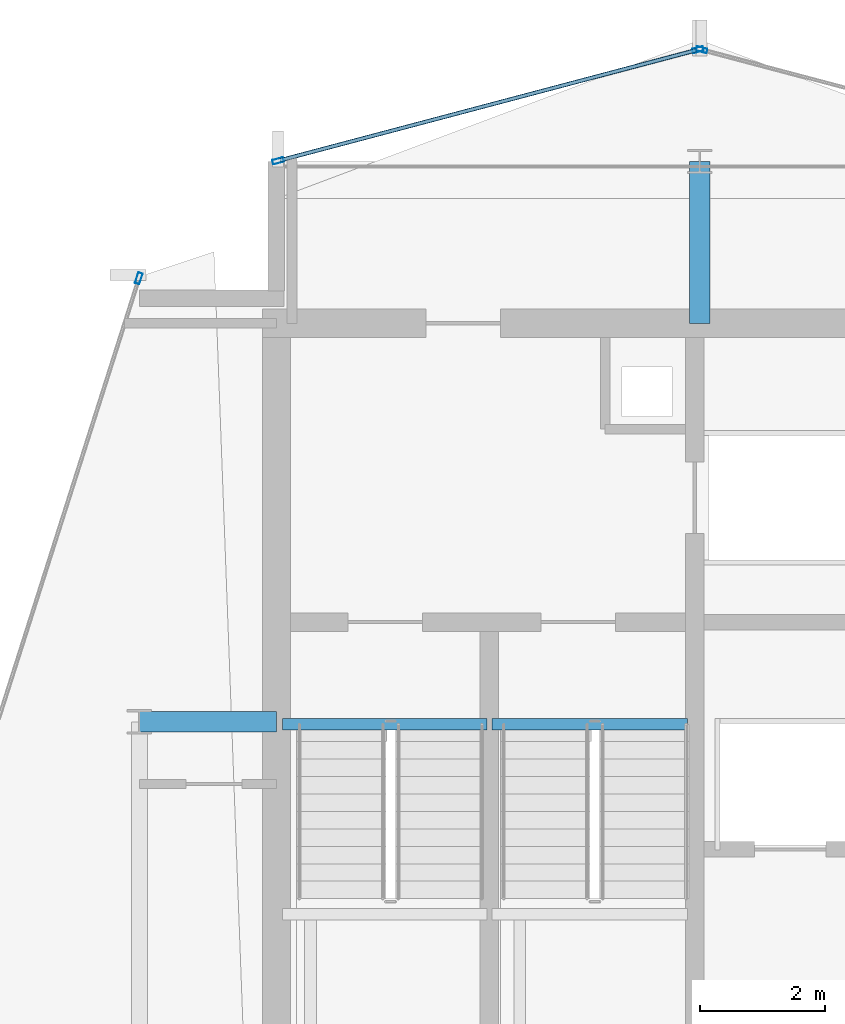
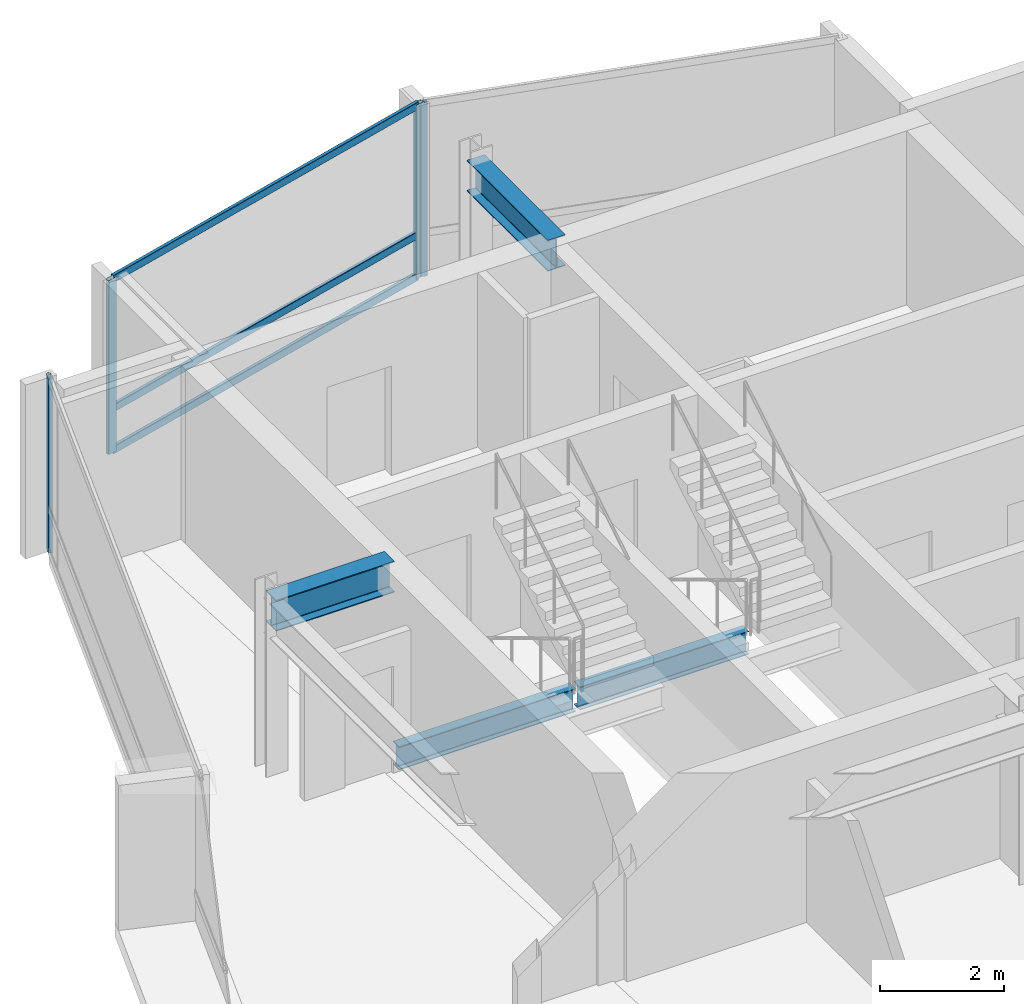
# One storey, part 11 of 19: 7 members, 4 beams, 3 elements without a shape of their own.
"""IFC4 building model written with IfcOpenShell, lengths in metres."""

from ifc_helpers import new_model, si_unit, direction, frame, origin, origin_2d, place, context, subcontext, project, spatial, hollow_rectangle, i_section, extrude, material, layer, layer_set, material_profile, profile_set, type_object, element, aggregate, save


model = new_model("IFC4")

# Units and contexts
model_context = context("Model", 3, precision=1e-05, world=origin(), true_north=direction((0.0, 1.0)))
body_context = subcontext(model_context, "Body", "Model", "MODEL_VIEW")
ifc_project = project(units=[si_unit("LENGTHUNIT", "METRE"), si_unit("AREAUNIT", "SQUARE_METRE"), si_unit("VOLUMEUNIT", "CUBIC_METRE"), si_unit("PLANEANGLEUNIT", "RADIAN"), si_unit("MASSUNIT", "GRAM", prefix="KILO")], contexts=[model_context])

# Site, building, storey
site_placement = place(None, origin())
site = spatial("IfcSite", under=ifc_project, at=site_placement, CompositionType="ELEMENT")
building_placement = place(site_placement, origin())
building = spatial("IfcBuilding", under=site, at=building_placement, Name="Solvaryn Broadcast Tower", CompositionType="ELEMENT")
storey_placement = place(building_placement, frame((0.0, 0.0, 255.60009765625)))
storey = spatial("IfcBuildingStorey", under=building, at=storey_placement, Name="L64", CompositionType="ELEMENT", Elevation=255.60009765625)

# Beams
ifc_material_1 = material(Name="Steel ASTM A992 Grade 50", Category="steel")
ifc_material_profile_1 = material_profile(ifc_material_1, i_section(OverallWidth=0.323974609375, OverallDepth=0.611083984375, WebThickness=0.0126953125, FlangeThickness=0.01904296875, FilletRadius=0.014892578125, at=origin_2d()))
ifc_profile_set_1 = profile_set([ifc_material_profile_1], Name="Steel ASTM A992 Grade 50")
beam_type_1 = type_object("IfcBeamType", Name="BM-B1-W24X104", PredefinedType="BEAM", material=ifc_profile_set_1)
beam_1_placement = place(storey_placement, frame((9.0, 36.0, 3.114501953125), z_axis=(1.0, 0.0, 0.0), x_axis=(0.0, 1.0, 0.0)))
element("IfcBeam", 1, at=beam_1_placement, inside=storey, type_object=beam_type_1, Name="L64 Core Tie Beam CTW1", PredefinedType="BEAM", context=body_context, shape_type="SweptSolid", body=[
    extrude(i_section(OverallWidth=0.323974609375, OverallDepth=0.611083984375, WebThickness=0.0126953125, FlangeThickness=0.01904296875, FilletRadius=0.014892578125, at=origin_2d()), origin(), (0.0, 0.0, 1.0), 2.199951171875),
])
beam_2_placement = place(storey_placement, frame((18.0, 42.39990234375, 3.114501953125), z_axis=(0.0, 1.0, 0.0), x_axis=(-1.0, 0.0, 0.0)))
element("IfcBeam", 2, at=beam_2_placement, inside=storey, type_object=beam_type_1, Name="L64 Core Tie Beam CTW3", PredefinedType="BEAM", context=body_context, shape_type="SweptSolid", body=[
    extrude(i_section(OverallWidth=0.323974609375, OverallDepth=0.611083984375, WebThickness=0.0126953125, FlangeThickness=0.01904296875, FilletRadius=0.014892578125, at=origin_2d()), origin(), (0.0, 0.0, 1.0), 2.60009765625),
])
ifc_material_2 = material(Name="Steel ASTM A992 Grade 50", Category="steel")
ifc_material_profile_2 = material_profile(ifc_material_2, i_section(OverallWidth=0.18994140625, OverallDepth=0.45703125, WebThickness=0.009033203125, FlangeThickness=0.014404296875, FilletRadius=0.011962890625, at=origin_2d()))
ifc_profile_set_2 = profile_set([ifc_material_profile_2], Name="Steel ASTM A992 Grade 50")
beam_type_2 = type_object("IfcBeamType", Name="BM-B4-W18X50", PredefinedType="BEAM", material=ifc_profile_set_2)
beam_3_placement = place(storey_placement, frame((11.300048828125, 35.9599609375, -0.508544921875), z_axis=(1.0, 0.0, 0.0), x_axis=(0.0, 1.0, 0.0)))
element("IfcBeam", 3, at=beam_3_placement, inside=storey, type_object=beam_type_2, Name="L64 ST1 Stair Well Trimmer Beam", PredefinedType="BEAM", context=body_context, shape_type="SweptSolid", body=[
    extrude(i_section(OverallWidth=0.18994140625, OverallDepth=0.45703125, WebThickness=0.009033203125, FlangeThickness=0.014404296875, FilletRadius=0.011962890625, at=origin_2d()), origin(), (0.0, 0.0, 1.0), 3.280029296875),
])
beam_4_placement = place(storey_placement, frame((14.659912109375, 35.9599609375, -0.508544921875), z_axis=(1.0, 0.0, 0.0), x_axis=(0.0, 1.0, 0.0)))
element("IfcBeam", 4, at=beam_4_placement, inside=storey, type_object=beam_type_2, Name="L64 ST2 Stair Well Trimmer Beam", PredefinedType="BEAM", context=body_context, shape_type="SweptSolid", body=[
    extrude(i_section(OverallWidth=0.18994140625, OverallDepth=0.45703125, WebThickness=0.009033203125, FlangeThickness=0.014404296875, FilletRadius=0.011962890625, at=origin_2d()), origin(), (0.0, 0.0, 1.0), 3.14013671875),
])

# Curtain wall, member
ifc_material_3 = material(Name="Aluminium and Terracotta Unitised Curtain Wall", Category="masonry")
ifc_layer = layer(ifc_material_3, 0.199951171875)
ifc_layer_set = layer_set([ifc_layer], Name="CW-SYS2-LOWMID")
curtain_wall_type = type_object("IfcCurtainWallType", Name="CW-SYS2-LOWMID", PredefinedType="NOTDEFINED", material=ifc_layer_set)
curtain_wall_1_placement = place(storey_placement, origin())
curtain_wall_1 = element("IfcCurtainWall", 5, at=curtain_wall_1_placement, inside=storey, type_object=curtain_wall_type, Name="L64 Curtain Wall DR1", PredefinedType="NOTDEFINED")
ifc_material_4 = material(Name="Anodised Aluminium 6063-T6", Category="aluminium")
ifc_material_profile_3 = material_profile(ifc_material_4, hollow_rectangle(XDim=0.074951171875, YDim=0.179931640625, WallThickness=0.00390625, InnerFilletRadius=0.00390625, OuterFilletRadius=0.008056640625, at=origin_2d()))
ifc_profile_set_3 = profile_set([ifc_material_profile_3], Name="Anodised Aluminium 6063-T6")
member_type_1 = type_object("IfcMemberType", Name="CW-MUL-180", PredefinedType="MULLION", material=ifc_profile_set_3)
member_1_placement = place(storey_placement, frame((8.990966796875, 43.120361328125, 0.0), z_axis=(0.0, 0.0, 1.0), x_axis=(0.952794594701, -0.30361564569, 0.0)))
member_1 = element("IfcMember", 6, at=member_1_placement, type_object=member_type_1, Name="CWS2 mullion 1", PredefinedType="MULLION", context=body_context, shape_type="SweptSolid", body=[
    extrude(hollow_rectangle(XDim=0.074951171875, YDim=0.179931640625, WallThickness=0.00390625, InnerFilletRadius=0.00390625, OuterFilletRadius=0.008056640625, at=origin_2d()), origin(), (0.0, 0.0, 1.0), 3.419921875),
])
aggregate(curtain_wall_1, [member_1])

curtain_wall_2_placement = place(storey_placement, origin())
curtain_wall_2 = element("IfcCurtainWall", 7, at=curtain_wall_2_placement, inside=storey, type_object=curtain_wall_type, Name="L64 Curtain Wall NT1", PredefinedType="NOTDEFINED")
member_2_placement = place(storey_placement, frame((18.029052734375, 46.792236328125, 0.0), z_axis=(0.0, 0.0, 1.0), x_axis=(-0.25589256031, -0.966705227863, 0.0)))
member_2 = element("IfcMember", 8, at=member_2_placement, type_object=member_type_1, Name="CWS2 mullion 2", PredefinedType="MULLION", context=body_context, shape_type="SweptSolid", body=[
    extrude(hollow_rectangle(XDim=0.074951171875, YDim=0.179931640625, WallThickness=0.00390625, InnerFilletRadius=0.00390625, OuterFilletRadius=0.008056640625, at=origin_2d()), origin(), (0.0, 0.0, 1.0), 3.419921875),
])
aggregate(curtain_wall_2, [member_2])

# Curtain wall, members
curtain_wall_3_placement = place(storey_placement, origin())
curtain_wall_3 = element("IfcCurtainWall", 9, at=curtain_wall_3_placement, inside=storey, type_object=curtain_wall_type, Name="L64 Curtain Wall NT2", PredefinedType="NOTDEFINED")
member_3_placement = place(storey_placement, frame((17.970947265625, 46.792236328125, 0.0), z_axis=(0.0, 0.0, 1.0), x_axis=(0.25589256031, -0.966705227863, 0.0)))
member_3 = element("IfcMember", 10, at=member_3_placement, type_object=member_type_1, Name="CWS2 mullion 1", PredefinedType="MULLION", context=body_context, shape_type="SweptSolid", body=[
    extrude(hollow_rectangle(XDim=0.074951171875, YDim=0.179931640625, WallThickness=0.00390625, InnerFilletRadius=0.00390625, OuterFilletRadius=0.008056640625, at=origin_2d()), origin(), (0.0, 0.0, 1.0), 3.419921875),
])
member_4_placement = place(storey_placement, frame((11.22900390625, 45.007568359375, 0.0), z_axis=(0.0, 0.0, 1.0), x_axis=(0.25589256031, -0.966705227863, 0.0)))
member_4 = element("IfcMember", 11, at=member_4_placement, type_object=member_type_1, Name="CWS2 mullion 2", PredefinedType="MULLION", context=body_context, shape_type="SweptSolid", body=[
    extrude(hollow_rectangle(XDim=0.074951171875, YDim=0.179931640625, WallThickness=0.00390625, InnerFilletRadius=0.00390625, OuterFilletRadius=0.008056640625, at=origin_2d()), origin(), (0.0, 0.0, 1.0), 3.419921875),
])
ifc_material_5 = material(Name="Anodised Aluminium 6063-T6", Category="aluminium")
ifc_material_profile_4 = material_profile(ifc_material_5, hollow_rectangle(XDim=0.06494140625, YDim=0.14990234375, WallThickness=0.00390625, InnerFilletRadius=0.00390625, OuterFilletRadius=0.008056640625, at=origin_2d()))
ifc_profile_set_4 = profile_set([ifc_material_profile_4], Name="Anodised Aluminium 6063-T6")
member_type_2 = type_object("IfcMemberType", Name="CW-TRN-150", PredefinedType="USERDEFINED", material=ifc_profile_set_4)
member_5_placement = place(storey_placement, frame((17.94189453125, 46.78466796875, 0.02978515625), z_axis=(-0.966703943301, -0.255897413051, 0.0), x_axis=(0.255897413051, -0.966703943301, 0.0)))
member_5 = element("IfcMember", 12, at=member_5_placement, type_object=member_type_2, Name="CWS2 transom 1.1", ObjectType="TRANSOM", PredefinedType="USERDEFINED", context=body_context, shape_type="SweptSolid", body=[
    extrude(hollow_rectangle(XDim=0.06494140625, YDim=0.14990234375, WallThickness=0.00390625, InnerFilletRadius=0.00390625, OuterFilletRadius=0.008056640625, at=origin_2d()), origin(), (0.0, 0.0, 1.0), 6.9140625),
])
member_6_placement = place(storey_placement, frame((17.94189453125, 46.78466796875, 0.849853515625), z_axis=(-0.966703943301, -0.255897413051, 0.0), x_axis=(0.255897413051, -0.966703943301, 0.0)))
member_6 = element("IfcMember", 13, at=member_6_placement, type_object=member_type_2, Name="CWS2 transom 1.2", ObjectType="TRANSOM", PredefinedType="USERDEFINED", context=body_context, shape_type="SweptSolid", body=[
    extrude(hollow_rectangle(XDim=0.06494140625, YDim=0.14990234375, WallThickness=0.00390625, InnerFilletRadius=0.00390625, OuterFilletRadius=0.008056640625, at=origin_2d()), origin(), (0.0, 0.0, 1.0), 6.9140625),
])
member_7_placement = place(storey_placement, frame((17.94189453125, 46.78466796875, 3.389892578125), z_axis=(-0.966703943301, -0.255897413051, 0.0), x_axis=(0.255897413051, -0.966703943301, 0.0)))
member_7 = element("IfcMember", 14, at=member_7_placement, type_object=member_type_2, Name="CWS2 transom 1.3", ObjectType="TRANSOM", PredefinedType="USERDEFINED", context=body_context, shape_type="SweptSolid", body=[
    extrude(hollow_rectangle(XDim=0.06494140625, YDim=0.14990234375, WallThickness=0.00390625, InnerFilletRadius=0.00390625, OuterFilletRadius=0.008056640625, at=origin_2d()), origin(), (0.0, 0.0, 1.0), 6.9140625),
])
aggregate(curtain_wall_3, [member_3, member_4, member_5, member_6, member_7])

save(model, "model.ifc")
